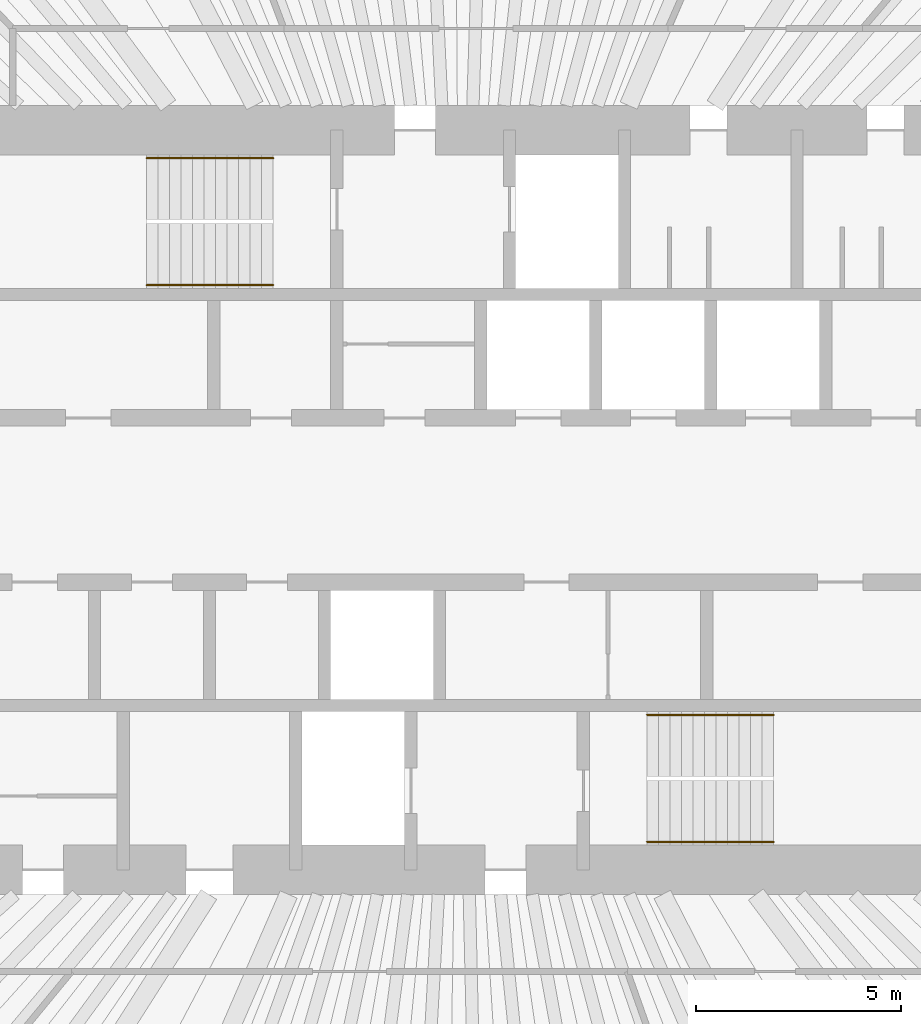
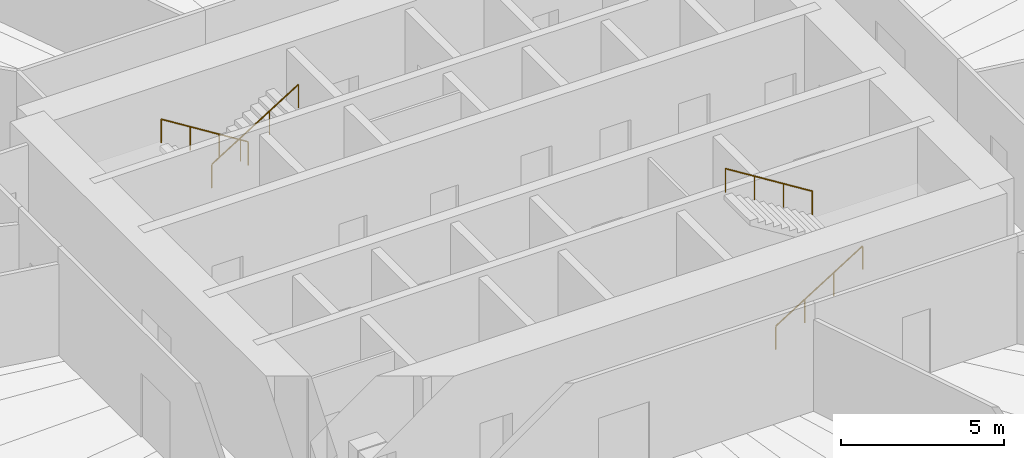
# One storey, part 13 of 13: 4 railings.
"""IFC4 building model written with IfcOpenShell, lengths in metres."""

from ifc_helpers import new_model, si_unit, direction, frame, origin, origin_2d, place, context, subcontext, project, spatial, circle, extrude, material, type_object, element, save


model = new_model("IFC4")

# Units and contexts
model_context = context("Model", 3, precision=1e-05, world=origin(), true_north=direction((0.0, 1.0)))
body_context = subcontext(model_context, "Body", "Model", "MODEL_VIEW")
ifc_project = project(units=[si_unit("LENGTHUNIT", "METRE"), si_unit("AREAUNIT", "SQUARE_METRE"), si_unit("VOLUMEUNIT", "CUBIC_METRE"), si_unit("PLANEANGLEUNIT", "RADIAN"), si_unit("MASSUNIT", "GRAM", prefix="KILO")], contexts=[model_context])

# Site, building, storey
site_placement = place(None, origin())
site = spatial("IfcSite", under=ifc_project, at=site_placement, CompositionType="ELEMENT")
building_placement = place(site_placement, origin())
building = spatial("IfcBuilding", under=site, at=building_placement, Name="Qingtian Harvest Tower", CompositionType="ELEMENT")
storey_placement = place(building_placement, frame((0.0, 0.0, 193.0)))
storey = spatial("IfcBuildingStorey", under=building, at=storey_placement, Name="L41", CompositionType="ELEMENT", Elevation=193.0)

# Railings
ifc_material = material(Name="Stainless steel handrail", Category="steel")
railing_type = type_object("IfcRailingType", Name="Handrail HR1", PredefinedType="HANDRAIL", material=ifc_material)
railing_1_placement = place(storey_placement, frame((-4.550048828125, 8.320068359375, 0.175048828125)))
element("IfcRailing", 1, at=railing_1_placement, inside=storey, type_object=railing_type, Name="Handrail HR1 S1 flight 1", PredefinedType="HANDRAIL", context=body_context, shape_type="SweptSolid", body=[
    extrude(circle(Radius=0.02392578125, at=origin_2d()), frame((0.0, 0.0, 0.8759765625), z_axis=(-0.847979421464, 0.0, 0.530029150871), x_axis=(0.0, -1.0, 0.0)), (0.0, 0.0, 1.0), 3.632080078125),
    extrude(circle(Radius=0.02099609375, at=origin_2d()), origin(), (0.0, 0.0, 1.0), 0.851806640625),
    extrude(circle(Radius=0.02099609375, at=origin_2d()), frame((-1.026611328125, 0.0, 0.6416015625)), (0.0, 0.0, 1.0), 0.851806640625),
    extrude(circle(Radius=0.02099609375, at=origin_2d()), frame((-2.05322265625, 0.0, 1.283447265625)), (0.0, 0.0, 1.0), 0.851806640625),
    extrude(circle(Radius=0.02099609375, at=origin_2d()), frame((-3.079833984375, 0.0, 1.925048828125)), (0.0, 0.0, 1.0), 0.851806640625),
])
for number, where, name in (
    (2, (-7.6298828125, 5.22998046875, 2.27490234375), "Handrail HR1 S1 flight 2"),
    (3, (4.550048828125, -8.320068359375, 0.175048828125), "Handrail HR1 S2 flight 1"),
):
    element("IfcRailing", number, at=place(storey_placement, frame(where)), inside=storey, type_object=railing_type, Name=name, PredefinedType="HANDRAIL", context=body_context, shape_type="SweptSolid", body=[
        extrude(circle(Radius=0.02392578125, at=origin_2d()), frame((0.0, 0.0, 0.8759765625), z_axis=(0.847979421464, 0.0, 0.530029150871), x_axis=(0.0, 1.0, 0.0)), (0.0, 0.0, 1.0), 3.632080078125),
        extrude(circle(Radius=0.02099609375, at=origin_2d()), origin(), (0.0, 0.0, 1.0), 0.851806640625),
        extrude(circle(Radius=0.02099609375, at=origin_2d()), frame((1.026611328125, 0.0, 0.6416015625)), (0.0, 0.0, 1.0), 0.851806640625),
        extrude(circle(Radius=0.02099609375, at=origin_2d()), frame((2.05322265625, 0.0, 1.283447265625)), (0.0, 0.0, 1.0), 0.851806640625),
        extrude(circle(Radius=0.02099609375, at=origin_2d()), frame((3.079833984375, 0.0, 1.925048828125)), (0.0, 0.0, 1.0), 0.851806640625),
    ])
railing_2_placement = place(storey_placement, frame((7.6298828125, -5.22998046875, 2.27490234375)))
element("IfcRailing", 4, at=railing_2_placement, inside=storey, type_object=railing_type, Name="Handrail HR1 S2 flight 2", PredefinedType="HANDRAIL", context=body_context, shape_type="SweptSolid", body=[
    extrude(circle(Radius=0.02392578125, at=origin_2d()), frame((0.0, 0.0, 0.8759765625), z_axis=(-0.847979421464, 0.0, 0.530029150871), x_axis=(0.0, -1.0, 0.0)), (0.0, 0.0, 1.0), 3.632080078125),
    extrude(circle(Radius=0.02099609375, at=origin_2d()), origin(), (0.0, 0.0, 1.0), 0.851806640625),
    extrude(circle(Radius=0.02099609375, at=origin_2d()), frame((-1.026611328125, 0.0, 0.6416015625)), (0.0, 0.0, 1.0), 0.851806640625),
    extrude(circle(Radius=0.02099609375, at=origin_2d()), frame((-2.05322265625, 0.0, 1.283447265625)), (0.0, 0.0, 1.0), 0.851806640625),
    extrude(circle(Radius=0.02099609375, at=origin_2d()), frame((-3.079833984375, 0.0, 1.925048828125)), (0.0, 0.0, 1.0), 0.851806640625),
])

save(model, "model.ifc")
